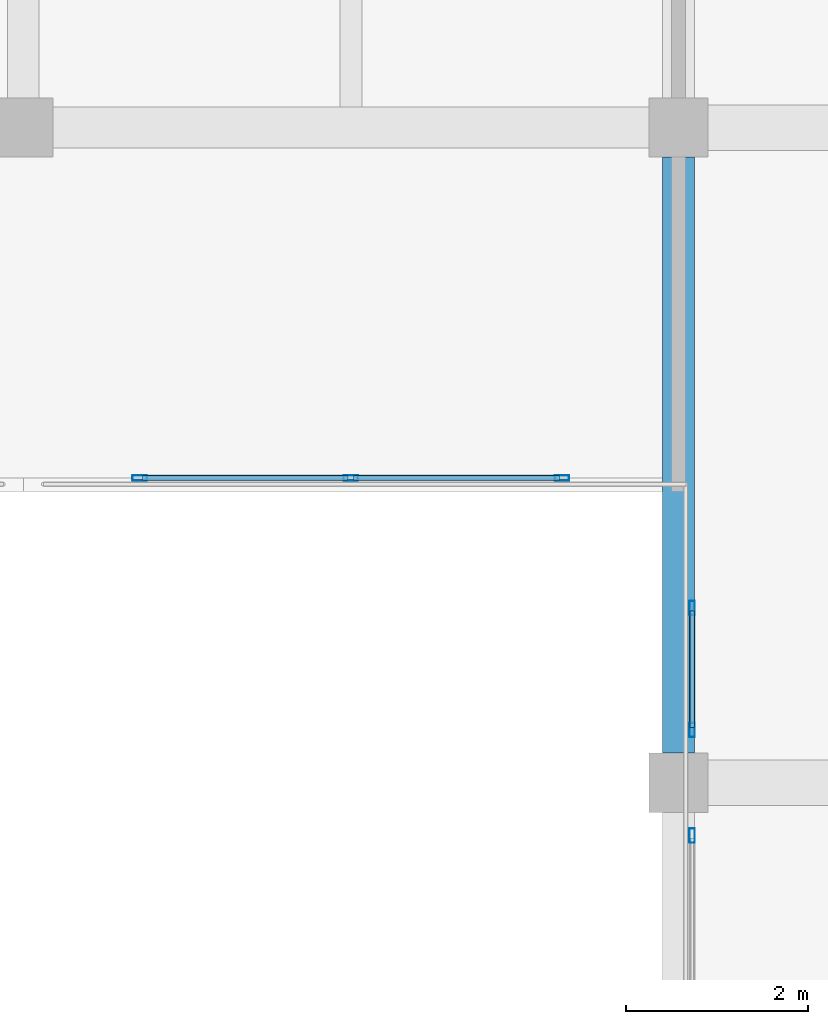
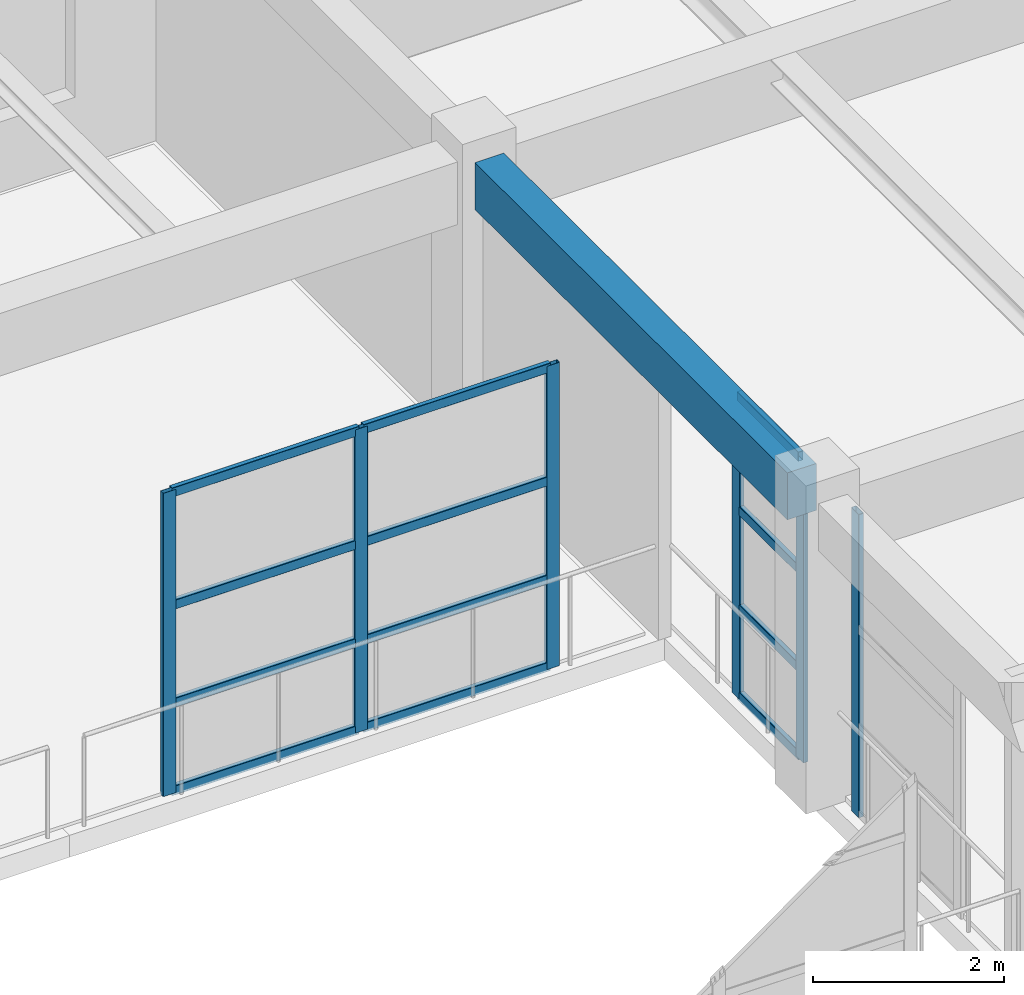
# One storey, part 30 of 67: 18 members, 1 beam, 3 elements without a shape of their own.
"""IFC4 building model written with IfcOpenShell, lengths in metres."""

from ifc_helpers import new_model, si_unit, direction, frame, origin, origin_2d, place, context, subcontext, project, spatial, rectangle, hollow_rectangle, extrude, material, material_profile, profile_set, type_object, element, aggregate, save


model = new_model("IFC4")

# Units and contexts
model_context = context("Model", 3, precision=1e-05, world=origin(), true_north=direction((0.0, 1.0)))
body_context = subcontext(model_context, "Body", "Model", "MODEL_VIEW")
ifc_project = project(units=[si_unit("LENGTHUNIT", "METRE"), si_unit("AREAUNIT", "SQUARE_METRE"), si_unit("VOLUMEUNIT", "CUBIC_METRE"), si_unit("PLANEANGLEUNIT", "RADIAN"), si_unit("MASSUNIT", "GRAM", prefix="KILO")], contexts=[model_context])

# Site, building, storey
site_placement = place(None, origin())
site = spatial("IfcSite", under=ifc_project, at=site_placement, CompositionType="ELEMENT")
building_placement = place(site_placement, origin())
building = spatial("IfcBuilding", under=site, at=building_placement, Name="Bramveld Media Centre", CompositionType="ELEMENT")
storey_placement = place(building_placement, frame((0.0, 0.0, 5.39990234375)))
storey = spatial("IfcBuildingStorey", under=building, at=storey_placement, Name="L01", CompositionType="ELEMENT", Elevation=5.39990234375)

# Beam
ifc_material_1 = material(Name="Concrete C40/50", Category="concrete")
ifc_material_profile_1 = material_profile(ifc_material_1, rectangle(XDim=0.35009765625, YDim=0.60009765625, at=origin_2d()), Name="RC 350x600")
ifc_profile_set_1 = profile_set([ifc_material_profile_1], Name="Concrete C40/50")
beam_type = type_object("IfcBeamType", Name="BM-INT-RC-350x600", PredefinedType="BEAM", material=ifc_profile_set_1)
beam_placement = place(storey_placement, frame((94.39990234375, 105.125, 3.6201171875), z_axis=(0.0, 1.0, 0.0), x_axis=(-1.0, 0.0, 0.0)))
element("IfcBeam", 1, at=beam_placement, inside=storey, type_object=beam_type, Name="V6 L01 girder Y-1036", PredefinedType="BEAM", context=body_context, shape_type="SweptSolid", body=[
    extrude(rectangle(XDim=0.35009765625, YDim=0.60009765625, at=origin_2d()), origin(), (0.0, 0.0, 1.0), 6.550048828125),
])

# Curtain wall, members
ifc_material_2 = material(Name="Thermally broken anodized bronze aluminium unitized curtain wall with solar-control triple glazing", Category="aluminium")
curtain_wall_type_1 = type_object("IfcCurtainWallType", Name="CW-ATR-4700x3880", PredefinedType="NOTDEFINED", material=ifc_material_2)
curtain_wall_1_placement = place(storey_placement, origin())
curtain_wall_1 = element("IfcCurtainWall", 2, at=curtain_wall_1_placement, inside=storey, type_object=curtain_wall_type_1, Name="V6 L01 atrium acoustic screen N2-1", PredefinedType="NOTDEFINED")
ifc_material_3 = material(Name="Thermally broken anodized bronze aluminium EN AW-6063 T6 curtain-wall framing", Category="aluminium")
ifc_material_profile_2 = material_profile(ifc_material_3, hollow_rectangle(XDim=0.06005859375, YDim=0.159912109375, WallThickness=0.00390625, InnerFilletRadius=0.00390625, OuterFilletRadius=0.008056640625, at=origin_2d()), Name="AL-MULL 60x160")
ifc_profile_set_2 = profile_set([ifc_material_profile_2], Name="Thermally broken anodized bronze aluminium EN AW-6063 T6 curtain-wall framing")
member_type_1 = type_object("IfcMemberType", Name="CW-MULL-INT", PredefinedType="MULLION", material=ifc_profile_set_2)
member_1_placement = place(storey_placement, frame((88.47998046875, 108.14990234375, 0.0), z_axis=(0.0, 0.0, 1.0), x_axis=(0.0, 1.0, 0.0)))
member_1 = element("IfcMember", 3, at=member_1_placement, type_object=member_type_1, Name="CW-AT-4738 mullion 1", PredefinedType="MULLION", context=body_context, shape_type="SweptSolid", body=[
    extrude(hollow_rectangle(XDim=0.06005859375, YDim=0.159912109375, WallThickness=0.00390625, InnerFilletRadius=0.00390625, OuterFilletRadius=0.008056640625, at=origin_2d()), origin(), (0.0, 0.0, 1.0), 3.880126953125),
])
member_2_placement = place(storey_placement, frame((90.800048828125, 108.14990234375, 0.0), z_axis=(0.0, 0.0, 1.0), x_axis=(0.0, 1.0, 0.0)))
member_2 = element("IfcMember", 4, at=member_2_placement, type_object=member_type_1, Name="CW-AT-4738 mullion 2", PredefinedType="MULLION", context=body_context, shape_type="SweptSolid", body=[
    extrude(hollow_rectangle(XDim=0.06005859375, YDim=0.159912109375, WallThickness=0.00390625, InnerFilletRadius=0.00390625, OuterFilletRadius=0.008056640625, at=origin_2d()), origin(), (0.0, 0.0, 1.0), 3.880126953125),
])
member_3_placement = place(storey_placement, frame((93.1201171875, 108.14990234375, 0.0), z_axis=(0.0, 0.0, 1.0), x_axis=(0.0, 1.0, 0.0)))
member_3 = element("IfcMember", 5, at=member_3_placement, type_object=member_type_1, Name="CW-AT-4738 mullion 3", PredefinedType="MULLION", context=body_context, shape_type="SweptSolid", body=[
    extrude(hollow_rectangle(XDim=0.06005859375, YDim=0.159912109375, WallThickness=0.00390625, InnerFilletRadius=0.00390625, OuterFilletRadius=0.008056640625, at=origin_2d()), origin(), (0.0, 0.0, 1.0), 3.880126953125),
])

# Curtain wall, member
ifc_material_4 = material(Name="Thermally broken anodized bronze aluminium unitized curtain wall with solar-control triple glazing", Category="aluminium")
curtain_wall_type_2 = type_object("IfcCurtainWallType", Name="CW-ATR-2200x3880", PredefinedType="NOTDEFINED", material=ifc_material_4)
curtain_wall_2_placement = place(storey_placement, origin())
curtain_wall_2 = element("IfcCurtainWall", 6, at=curtain_wall_2_placement, inside=storey, type_object=curtain_wall_type_2, Name="V6 L01 atrium acoustic screen E-1", PredefinedType="NOTDEFINED")
member_4_placement = place(storey_placement, frame((94.550048828125, 104.219970703125, 0.0), z_axis=(0.0, 0.0, 1.0), x_axis=(-1.0, 0.0, 0.0)))
member_4 = element("IfcMember", 7, at=member_4_placement, type_object=member_type_1, Name="CW-AT-2238 mullion 2", PredefinedType="MULLION", context=body_context, shape_type="SweptSolid", body=[
    extrude(hollow_rectangle(XDim=0.06005859375, YDim=0.159912109375, WallThickness=0.00390625, InnerFilletRadius=0.00390625, OuterFilletRadius=0.008056640625, at=origin_2d()), origin(), (0.0, 0.0, 1.0), 3.880126953125),
])
aggregate(curtain_wall_2, [member_4])

# Curtain wall, members
ifc_material_5 = material(Name="Thermally broken anodized bronze aluminium unitized curtain wall with solar-control triple glazing", Category="aluminium")
curtain_wall_type_3 = type_object("IfcCurtainWallType", Name="CW-ATR-1400x3880", PredefinedType="NOTDEFINED", material=ifc_material_5)
curtain_wall_3_placement = place(storey_placement, origin())
curtain_wall_3 = element("IfcCurtainWall", 8, at=curtain_wall_3_placement, inside=storey, type_object=curtain_wall_type_3, Name="V6 L01 atrium acoustic screen E-2", PredefinedType="NOTDEFINED")
member_5_placement = place(storey_placement, frame((94.550048828125, 105.3798828125, 0.0), z_axis=(0.0, 0.0, 1.0), x_axis=(-1.0, 0.0, 0.0)))
member_5 = element("IfcMember", 9, at=member_5_placement, type_object=member_type_1, Name="CW-AT-1438 mullion 1", PredefinedType="MULLION", context=body_context, shape_type="SweptSolid", body=[
    extrude(hollow_rectangle(XDim=0.06005859375, YDim=0.159912109375, WallThickness=0.00390625, InnerFilletRadius=0.00390625, OuterFilletRadius=0.008056640625, at=origin_2d()), origin(), (0.0, 0.0, 1.0), 3.880126953125),
])
member_6_placement = place(storey_placement, frame((94.550048828125, 106.719970703125, 0.0), z_axis=(0.0, 0.0, 1.0), x_axis=(-1.0, 0.0, 0.0)))
member_6 = element("IfcMember", 10, at=member_6_placement, type_object=member_type_1, Name="CW-AT-1438 mullion 2", PredefinedType="MULLION", context=body_context, shape_type="SweptSolid", body=[
    extrude(hollow_rectangle(XDim=0.06005859375, YDim=0.159912109375, WallThickness=0.00390625, InnerFilletRadius=0.00390625, OuterFilletRadius=0.008056640625, at=origin_2d()), origin(), (0.0, 0.0, 1.0), 3.880126953125),
])

# Member
ifc_material_6 = material(Name="Thermally broken anodized bronze aluminium EN AW-6063 T6 curtain-wall framing", Category="aluminium")
ifc_material_profile_3 = material_profile(ifc_material_6, hollow_rectangle(XDim=0.06005859375, YDim=0.1201171875, WallThickness=0.00341796875, InnerFilletRadius=0.00341796875, OuterFilletRadius=0.007080078125, at=origin_2d()), Name="AL-TRAN 60x120")
ifc_profile_set_3 = profile_set([ifc_material_profile_3], Name="Thermally broken anodized bronze aluminium EN AW-6063 T6 curtain-wall framing")
member_type_2 = type_object("IfcMemberType", Name="CW-TRAN-INT", PredefinedType="USERDEFINED", material=ifc_profile_set_3)
member_7_placement = place(storey_placement, frame((88.510009765625, 108.14990234375, 0.030029296875), z_axis=(1.0, 0.0, 0.0), x_axis=(0.0, 1.0, 0.0)))
member_7 = element("IfcMember", 11, at=member_7_placement, type_object=member_type_2, Name="CW-AT-4738 transom 1.1", ObjectType="TRANSOM", PredefinedType="USERDEFINED", context=body_context, shape_type="SweptSolid", body=[
    extrude(hollow_rectangle(XDim=0.06005859375, YDim=0.1201171875, WallThickness=0.00341796875, InnerFilletRadius=0.00341796875, OuterFilletRadius=0.007080078125, at=origin_2d()), origin(), (0.0, 0.0, 1.0), 2.260009765625),
])

member_8_placement = place(storey_placement, frame((88.510009765625, 108.14990234375, 1.150146484375), z_axis=(1.0, 0.0, 0.0), x_axis=(0.0, 1.0, 0.0)))
member_8 = element("IfcMember", 12, at=member_8_placement, type_object=member_type_2, Name="CW-AT-4738 transom 1.2", ObjectType="TRANSOM", PredefinedType="USERDEFINED", context=body_context, shape_type="SweptSolid", body=[
    extrude(hollow_rectangle(XDim=0.06005859375, YDim=0.1201171875, WallThickness=0.00341796875, InnerFilletRadius=0.00341796875, OuterFilletRadius=0.007080078125, at=origin_2d()), origin(), (0.0, 0.0, 1.0), 2.260009765625),
])

member_9_placement = place(storey_placement, frame((88.510009765625, 108.14990234375, 2.406005859375), z_axis=(1.0, 0.0, 0.0), x_axis=(0.0, 1.0, 0.0)))
member_9 = element("IfcMember", 13, at=member_9_placement, type_object=member_type_2, Name="CW-AT-4738 transom 1.3", ObjectType="TRANSOM", PredefinedType="USERDEFINED", context=body_context, shape_type="SweptSolid", body=[
    extrude(hollow_rectangle(XDim=0.06005859375, YDim=0.1201171875, WallThickness=0.00341796875, InnerFilletRadius=0.00341796875, OuterFilletRadius=0.007080078125, at=origin_2d()), origin(), (0.0, 0.0, 1.0), 2.260009765625),
])

member_10_placement = place(storey_placement, frame((88.510009765625, 108.14990234375, 3.85009765625), z_axis=(1.0, 0.0, 0.0), x_axis=(0.0, 1.0, 0.0)))
member_10 = element("IfcMember", 14, at=member_10_placement, type_object=member_type_2, Name="CW-AT-4738 transom 1.4", ObjectType="TRANSOM", PredefinedType="USERDEFINED", context=body_context, shape_type="SweptSolid", body=[
    extrude(hollow_rectangle(XDim=0.06005859375, YDim=0.1201171875, WallThickness=0.00341796875, InnerFilletRadius=0.00341796875, OuterFilletRadius=0.007080078125, at=origin_2d()), origin(), (0.0, 0.0, 1.0), 2.260009765625),
])

member_11_placement = place(storey_placement, frame((90.830078125, 108.14990234375, 0.030029296875), z_axis=(1.0, 0.0, 0.0), x_axis=(0.0, 1.0, 0.0)))
member_11 = element("IfcMember", 15, at=member_11_placement, type_object=member_type_2, Name="CW-AT-4738 transom 2.1", ObjectType="TRANSOM", PredefinedType="USERDEFINED", context=body_context, shape_type="SweptSolid", body=[
    extrude(hollow_rectangle(XDim=0.06005859375, YDim=0.1201171875, WallThickness=0.00341796875, InnerFilletRadius=0.00341796875, OuterFilletRadius=0.007080078125, at=origin_2d()), origin(), (0.0, 0.0, 1.0), 2.260009765625),
])

member_12_placement = place(storey_placement, frame((90.830078125, 108.14990234375, 1.150146484375), z_axis=(1.0, 0.0, 0.0), x_axis=(0.0, 1.0, 0.0)))
member_12 = element("IfcMember", 16, at=member_12_placement, type_object=member_type_2, Name="CW-AT-4738 transom 2.2", ObjectType="TRANSOM", PredefinedType="USERDEFINED", context=body_context, shape_type="SweptSolid", body=[
    extrude(hollow_rectangle(XDim=0.06005859375, YDim=0.1201171875, WallThickness=0.00341796875, InnerFilletRadius=0.00341796875, OuterFilletRadius=0.007080078125, at=origin_2d()), origin(), (0.0, 0.0, 1.0), 2.260009765625),
])

member_13_placement = place(storey_placement, frame((90.830078125, 108.14990234375, 2.406005859375), z_axis=(1.0, 0.0, 0.0), x_axis=(0.0, 1.0, 0.0)))
member_13 = element("IfcMember", 17, at=member_13_placement, type_object=member_type_2, Name="CW-AT-4738 transom 2.3", ObjectType="TRANSOM", PredefinedType="USERDEFINED", context=body_context, shape_type="SweptSolid", body=[
    extrude(hollow_rectangle(XDim=0.06005859375, YDim=0.1201171875, WallThickness=0.00341796875, InnerFilletRadius=0.00341796875, OuterFilletRadius=0.007080078125, at=origin_2d()), origin(), (0.0, 0.0, 1.0), 2.260009765625),
])

member_14_placement = place(storey_placement, frame((90.830078125, 108.14990234375, 3.85009765625), z_axis=(1.0, 0.0, 0.0), x_axis=(0.0, 1.0, 0.0)))
member_14 = element("IfcMember", 18, at=member_14_placement, type_object=member_type_2, Name="CW-AT-4738 transom 2.4", ObjectType="TRANSOM", PredefinedType="USERDEFINED", context=body_context, shape_type="SweptSolid", body=[
    extrude(hollow_rectangle(XDim=0.06005859375, YDim=0.1201171875, WallThickness=0.00341796875, InnerFilletRadius=0.00341796875, OuterFilletRadius=0.007080078125, at=origin_2d()), origin(), (0.0, 0.0, 1.0), 2.260009765625),
])

aggregate(curtain_wall_1, [member_1, member_2, member_3, member_7, member_8, member_9, member_10, member_11, member_12, member_13, member_14])

member_15_placement = place(storey_placement, frame((94.550048828125, 105.409912109375, 0.030029296875), z_axis=(0.0, 1.0, 0.0), x_axis=(-1.0, 0.0, 0.0)))
member_15 = element("IfcMember", 19, at=member_15_placement, type_object=member_type_2, Name="CW-AT-1438 transom 1.1", ObjectType="TRANSOM", PredefinedType="USERDEFINED", context=body_context, shape_type="SweptSolid", body=[
    extrude(hollow_rectangle(XDim=0.06005859375, YDim=0.1201171875, WallThickness=0.00341796875, InnerFilletRadius=0.00341796875, OuterFilletRadius=0.007080078125, at=origin_2d()), origin(), (0.0, 0.0, 1.0), 1.280029296875),
])

member_16_placement = place(storey_placement, frame((94.550048828125, 105.409912109375, 1.150146484375), z_axis=(0.0, 1.0, 0.0), x_axis=(-1.0, 0.0, 0.0)))
member_16 = element("IfcMember", 20, at=member_16_placement, type_object=member_type_2, Name="CW-AT-1438 transom 1.2", ObjectType="TRANSOM", PredefinedType="USERDEFINED", context=body_context, shape_type="SweptSolid", body=[
    extrude(hollow_rectangle(XDim=0.06005859375, YDim=0.1201171875, WallThickness=0.00341796875, InnerFilletRadius=0.00341796875, OuterFilletRadius=0.007080078125, at=origin_2d()), origin(), (0.0, 0.0, 1.0), 1.280029296875),
])

member_17_placement = place(storey_placement, frame((94.550048828125, 105.409912109375, 2.406005859375), z_axis=(0.0, 1.0, 0.0), x_axis=(-1.0, 0.0, 0.0)))
member_17 = element("IfcMember", 21, at=member_17_placement, type_object=member_type_2, Name="CW-AT-1438 transom 1.3", ObjectType="TRANSOM", PredefinedType="USERDEFINED", context=body_context, shape_type="SweptSolid", body=[
    extrude(hollow_rectangle(XDim=0.06005859375, YDim=0.1201171875, WallThickness=0.00341796875, InnerFilletRadius=0.00341796875, OuterFilletRadius=0.007080078125, at=origin_2d()), origin(), (0.0, 0.0, 1.0), 1.280029296875),
])

member_18_placement = place(storey_placement, frame((94.550048828125, 105.409912109375, 3.85009765625), z_axis=(0.0, 1.0, 0.0), x_axis=(-1.0, 0.0, 0.0)))
member_18 = element("IfcMember", 22, at=member_18_placement, type_object=member_type_2, Name="CW-AT-1438 transom 1.4", ObjectType="TRANSOM", PredefinedType="USERDEFINED", context=body_context, shape_type="SweptSolid", body=[
    extrude(hollow_rectangle(XDim=0.06005859375, YDim=0.1201171875, WallThickness=0.00341796875, InnerFilletRadius=0.00341796875, OuterFilletRadius=0.007080078125, at=origin_2d()), origin(), (0.0, 0.0, 1.0), 1.280029296875),
])

aggregate(curtain_wall_3, [member_5, member_6, member_15, member_16, member_17, member_18])

save(model, "model.ifc")
